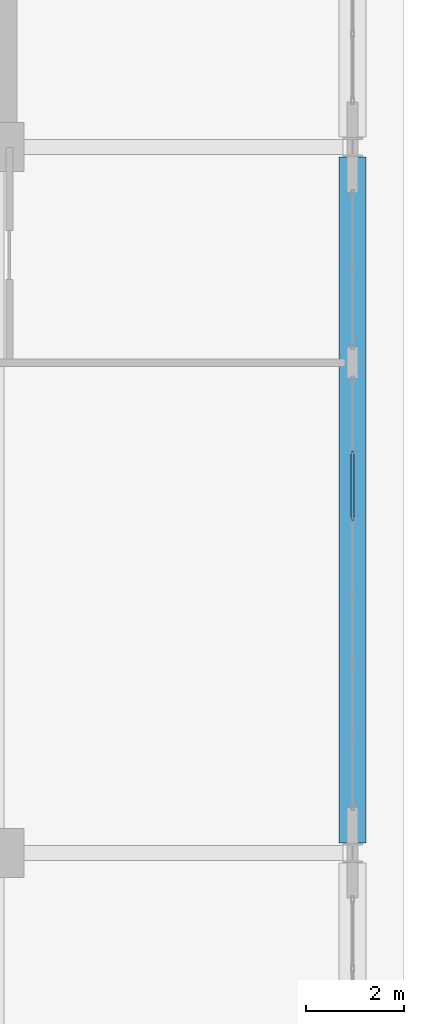
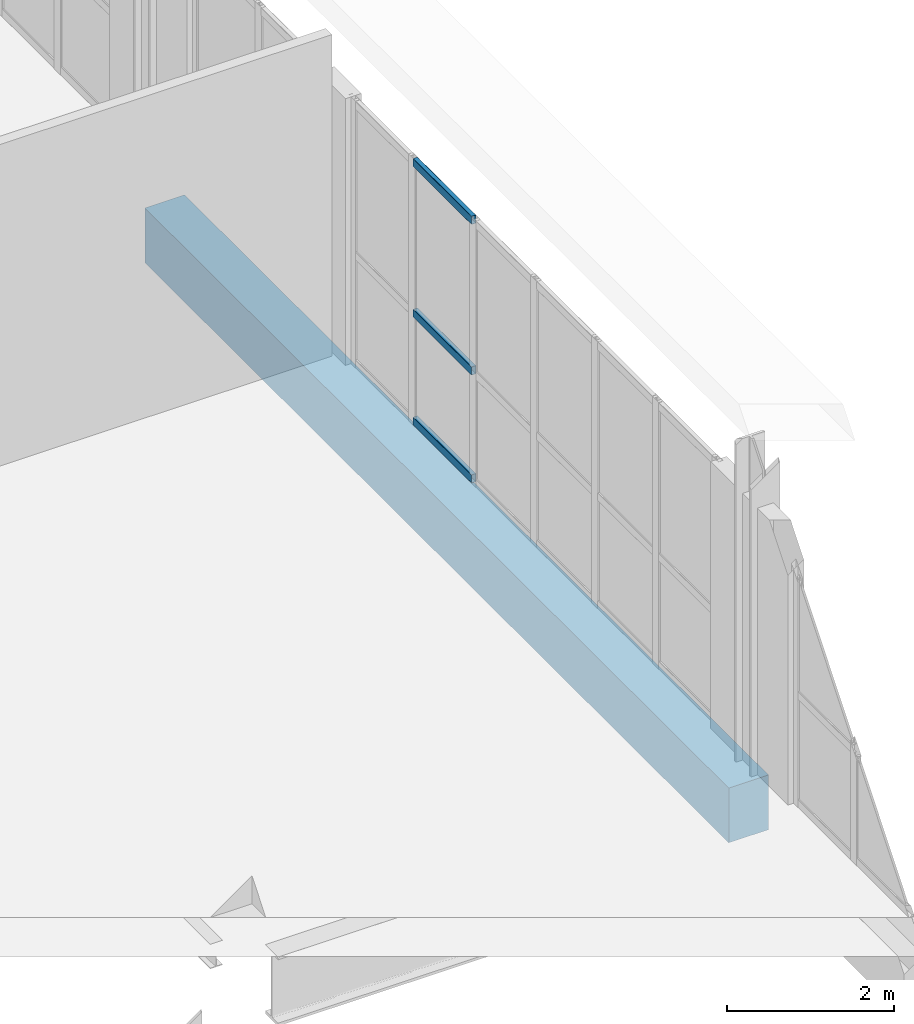
# One storey, part 23 of 36: 3 members, 1 beam, 1 element without a shape of its own.
"""IFC4 building model written with IfcOpenShell, lengths in metres."""

from ifc_helpers import new_model, si_unit, direction, frame, origin, origin_2d, place, context, subcontext, project, spatial, rectangle, hollow_rectangle, extrude, material, layer, layer_set, material_profile, profile_set, type_object, element, aggregate, save


model = new_model("IFC4")

# Units and contexts
model_context = context("Model", 3, precision=1e-05, world=origin(), true_north=direction((0.0, 1.0)))
body_context = subcontext(model_context, "Body", "Model", "MODEL_VIEW")
ifc_project = project(units=[si_unit("LENGTHUNIT", "METRE"), si_unit("AREAUNIT", "SQUARE_METRE"), si_unit("VOLUMEUNIT", "CUBIC_METRE"), si_unit("PLANEANGLEUNIT", "RADIAN"), si_unit("MASSUNIT", "GRAM", prefix="KILO")], contexts=[model_context])

# Site, building, storey
site_placement = place(None, origin())
site = spatial("IfcSite", under=ifc_project, at=site_placement, CompositionType="ELEMENT")
building_placement = place(site_placement, origin())
building = spatial("IfcBuilding", under=site, at=building_placement, Name="Kaelvorn Grand Hotel", CompositionType="ELEMENT")
storey_placement = place(building_placement, frame((0.0, 0.0, 305.699951171875)))
storey = spatial("IfcBuildingStorey", under=building, at=storey_placement, Name="L74", CompositionType="ELEMENT", Elevation=305.699951171875)

# Beam
ifc_material_1 = material(Name="Concrete C50/60", Category="concrete")
ifc_material_profile_1 = material_profile(ifc_material_1, rectangle(XDim=0.550048828125, YDim=0.800048828125, at=origin_2d()), Name="RC SPANDREL 550x800")
ifc_profile_set_1 = profile_set([ifc_material_profile_1], Name="Concrete C50/60")
beam_type = type_object("IfcBeamType", Name="BM-SP-550x800-C50", PredefinedType="SPANDREL", material=ifc_profile_set_1)
beam_placement = place(storey_placement, frame((75.0, 15.205078125, -0.780029296875), z_axis=(0.0, 1.0, 0.0), x_axis=(-1.0, 0.0, 0.0)))
element("IfcBeam", 1, at=beam_placement, inside=storey, type_object=beam_type, Name="L74 East Perimeter Spandrel 02", PredefinedType="SPANDREL", context=body_context, shape_type="SweptSolid", body=[
    extrude(rectangle(XDim=0.550048828125, YDim=0.800048828125, at=origin_2d()), origin(), (0.0, 0.0, 1.0), 13.989990234375),
])

# Curtain wall, members
ifc_material_2 = material(Name="Anodised Aluminium", Category="aluminium")
ifc_layer = layer(ifc_material_2, 0.159912109375)
ifc_layer_set = layer_set([ifc_layer], Name="Anodised Aluminium")
curtain_wall_type = type_object("IfcCurtainWallType", Name="CW-SYS6", PredefinedType="NOTDEFINED", material=ifc_layer_set)
curtain_wall_placement = place(storey_placement, origin())
curtain_wall = element("IfcCurtainWall", 2, at=curtain_wall_placement, inside=storey, type_object=curtain_wall_type, Name="L74 Unitised Curtain Wall CW6 (CW-L74-E-02)", PredefinedType="NOTDEFINED")
ifc_material_profile_2 = material_profile(ifc_material_2, hollow_rectangle(XDim=0.06494140625, YDim=0.1201171875, WallThickness=0.00341796875, InnerFilletRadius=0.00341796875, OuterFilletRadius=0.007080078125, at=origin_2d()), Name="ALU TRAN 65x120")
ifc_profile_set_2 = profile_set([ifc_material_profile_2], Name="Anodised Aluminium")
member_type = type_object("IfcMemberType", Name="CW-SYS6-TRAN", PredefinedType="NOTDEFINED", material=ifc_profile_set_2)
member_1_placement = place(storey_placement, frame((75.0, 21.79248046875, 0.06005859375), z_axis=(0.0, 1.0, 0.0), x_axis=(-1.0, 0.0, 0.0)))
member_1 = element("IfcMember", 3, at=member_1_placement, type_object=member_type, Name="CW6 transom 5.1", ObjectType="TRANSOM", PredefinedType="USERDEFINED", context=body_context, shape_type="SweptSolid", body=[
    extrude(hollow_rectangle(XDim=0.06494140625, YDim=0.1201171875, WallThickness=0.00341796875, InnerFilletRadius=0.00341796875, OuterFilletRadius=0.007080078125, at=origin_2d()), origin(), (0.0, 0.0, 1.0), 1.39501953125),
])
member_2_placement = place(storey_placement, frame((75.0, 21.79248046875, 1.637939453125), z_axis=(0.0, 1.0, 0.0), x_axis=(-1.0, 0.0, 0.0)))
member_2 = element("IfcMember", 4, at=member_2_placement, type_object=member_type, Name="CW6 transom 5.2", ObjectType="TRANSOM", PredefinedType="USERDEFINED", context=body_context, shape_type="SweptSolid", body=[
    extrude(hollow_rectangle(XDim=0.06494140625, YDim=0.1201171875, WallThickness=0.00341796875, InnerFilletRadius=0.00341796875, OuterFilletRadius=0.007080078125, at=origin_2d()), origin(), (0.0, 0.0, 1.0), 1.39501953125),
])
member_3_placement = place(storey_placement, frame((75.0, 21.79248046875, 3.840087890625), z_axis=(0.0, 1.0, 0.0), x_axis=(-1.0, 0.0, 0.0)))
member_3 = element("IfcMember", 5, at=member_3_placement, type_object=member_type, Name="CW6 transom 5.3", ObjectType="TRANSOM", PredefinedType="USERDEFINED", context=body_context, shape_type="SweptSolid", body=[
    extrude(hollow_rectangle(XDim=0.06494140625, YDim=0.1201171875, WallThickness=0.00341796875, InnerFilletRadius=0.00341796875, OuterFilletRadius=0.007080078125, at=origin_2d()), origin(), (0.0, 0.0, 1.0), 1.39501953125),
])
aggregate(curtain_wall, [member_1, member_2, member_3])

save(model, "model.ifc")
